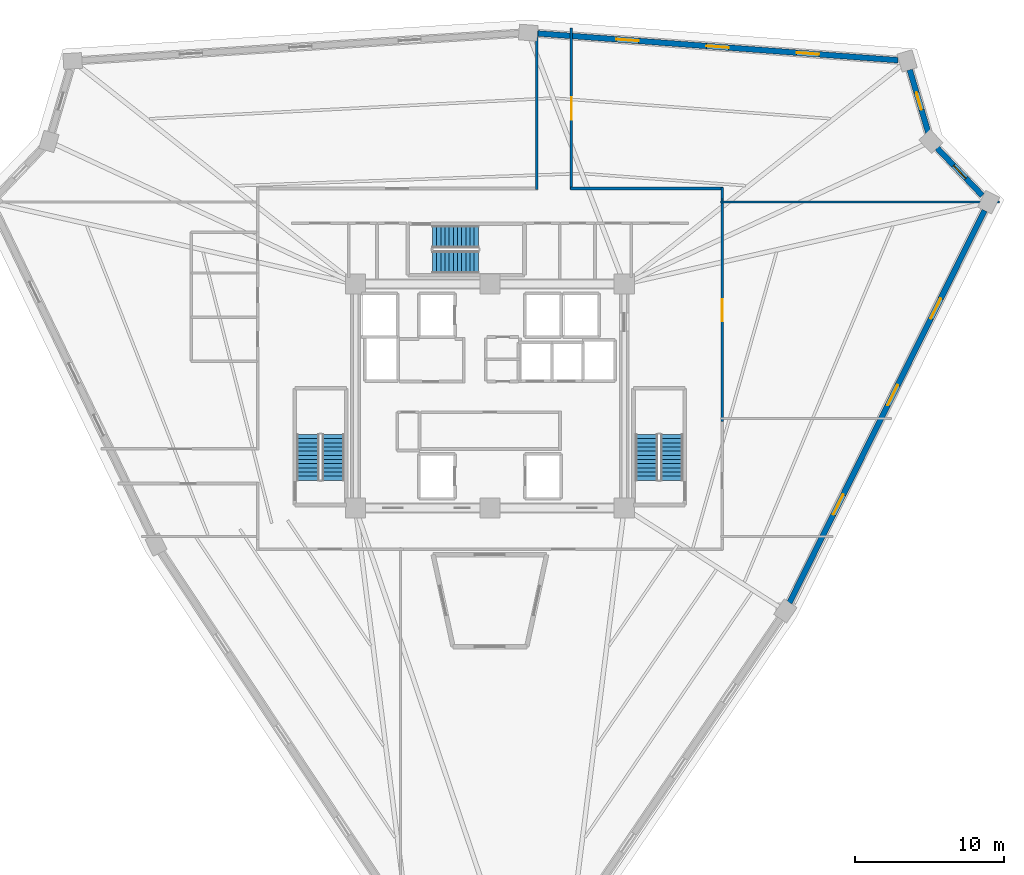
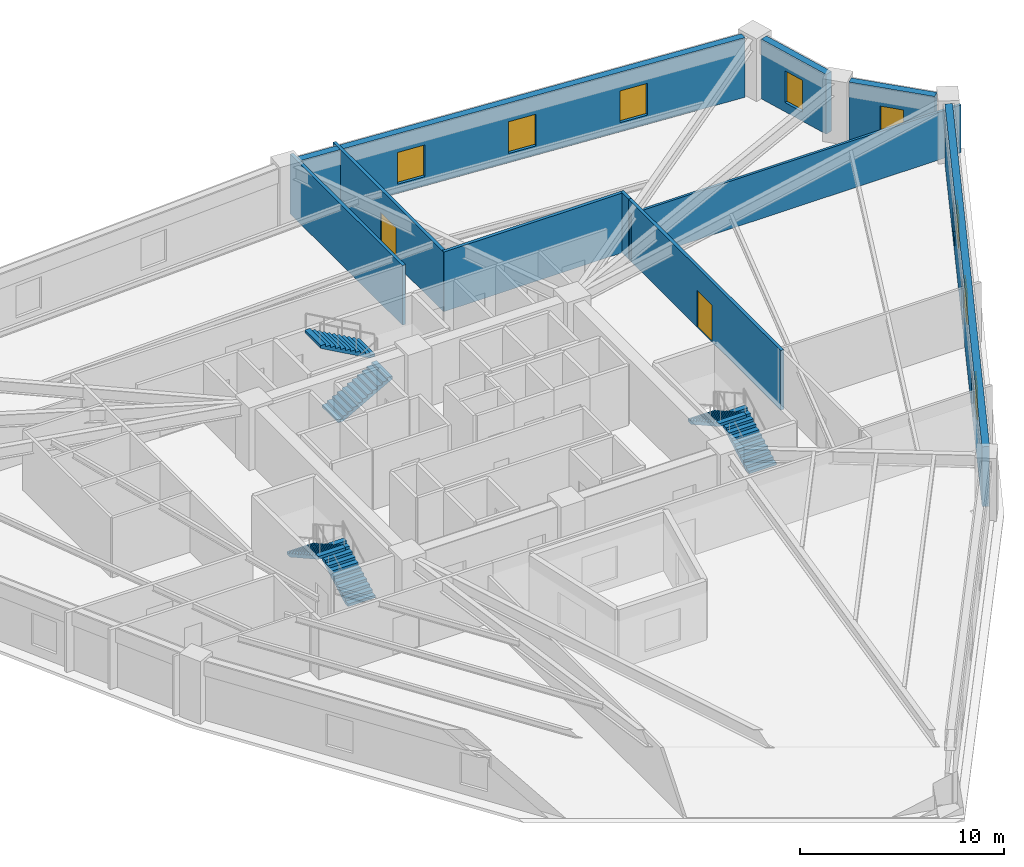
# One storey, part 7 of 10: 10 walls, 8 windows, 6 stair flights, 2 doors, 10 openings, 3 elements without a shape of their own.
"""IFC4 building model written with IfcOpenShell, lengths in metres."""

from ifc_helpers import new_model, si_unit, direction, frame, frame_2d, origin, place, context, subcontext, project, spatial, polyline, rectangle, outline, extrude, source, transform, mapped, material, layer, layer_set, type_object, element, fill, aggregate, save


model = new_model("IFC4")

# Units and contexts
model_context = context("Model", 3, precision=1e-05, world=origin(), true_north=direction((0.0, 1.0)))
body_context = subcontext(model_context, "Body", "Model", "MODEL_VIEW")
ifc_project = project(units=[si_unit("LENGTHUNIT", "METRE"), si_unit("AREAUNIT", "SQUARE_METRE"), si_unit("VOLUMEUNIT", "CUBIC_METRE"), si_unit("PLANEANGLEUNIT", "RADIAN"), si_unit("MASSUNIT", "GRAM", prefix="KILO")], contexts=[model_context])

# Site, building, storey
site_placement = place(None, origin())
site = spatial("IfcSite", under=ifc_project, at=site_placement, CompositionType="ELEMENT")
building_placement = place(site_placement, origin())
building = spatial("IfcBuilding", under=site, at=building_placement, Name="Liaohun Quay Tower", CompositionType="ELEMENT")
storey_placement = place(building_placement, frame((0.0, 0.0, 216.75)))
storey = spatial("IfcBuildingStorey", under=building, at=storey_placement, Name="L56", CompositionType="ELEMENT", Elevation=216.75)

# Wall, openings, windows
ifc_material_1 = material(Name="Precast concrete C50 insulated sandwich", Category="concrete")
ifc_layer_1 = layer(ifc_material_1, 0.3798828125, Name="Precast concrete C50 insulated sandwich", Category="concrete")
ifc_layer_set_1 = layer_set([ifc_layer_1], Name="Precast concrete C50 insulated sandwich")
wall_type_1 = type_object("IfcWallType", Name="WAL-EXT-Z34", PredefinedType="SOLIDWALL", material=ifc_layer_set_1)
wall_1_placement = place(storey_placement, frame((80.069091796875, 40.156005859375, 0.0), z_axis=(0.0, 0.0, 1.0), x_axis=(0.445352625388, 0.895355258576, 0.0)))
wall_1 = element("IfcWall", 1, at=wall_1_placement, inside=storey, type_object=wall_type_1, Name="L56 Brutalist Precast Pier Wall 03", PredefinedType="SOLIDWALL", context=body_context, shape_type="SweptSolid", body=[
    extrude(rectangle(XDim=29.349365234375, YDim=0.3798828125, at=frame_2d((14.6748046875, 0.0))), origin(), (0.0, 0.0, 1.0), 3.570068359375),
])
shared_shape_1 = source(origin(), body_context, "Body", "SweptSolid", [
    extrude(rectangle(XDim=1.5, YDim=1.89990234375, at=frame_2d((0.75, 0.949951171875))), frame((0.0, 0.199951171875, 0.0), z_axis=(0.0, -1.0, 0.0), x_axis=(1.0, 0.0, 0.0)), (0.0, 0.0, 1.0), 0.39990234375),
])
opening_1_placement = place(wall_1_placement, frame((6.5869140625, 0.0, 0.550048828125)))
opening_1 = element("IfcOpeningElement", 2, at=opening_1_placement, cuts=wall_1, Name="Opening W03", PredefinedType="OPENING", context=body_context, shape_type="MappedRepresentation", body=[
    mapped(shared_shape_1, transform((0.0, 0.0, 0.0), x_axis=(1.0, 0.0, 0.0), y_axis=(0.0, 1.0, 0.0), z_axis=(0.0, 0.0, 1.0), scale=1.0)),
])
opening_2_placement = place(wall_1_placement, frame((14.77490234375, 0.0, 0.550048828125)))
opening_2 = element("IfcOpeningElement", 3, at=opening_2_placement, cuts=wall_1, Name="Opening W03", PredefinedType="OPENING", context=body_context, shape_type="MappedRepresentation", body=[
    mapped(shared_shape_1, transform((0.0, 0.0, 0.0), x_axis=(1.0, 0.0, 0.0), y_axis=(0.0, 1.0, 0.0), z_axis=(0.0, 0.0, 1.0), scale=1.0)),
])
opening_3_placement = place(wall_1_placement, frame((21.261962890625, 0.0, 0.550048828125)))
opening_3 = element("IfcOpeningElement", 4, at=opening_3_placement, cuts=wall_1, Name="Opening W03", PredefinedType="OPENING", context=body_context, shape_type="MappedRepresentation", body=[
    mapped(shared_shape_1, transform((0.0, 0.0, 0.0), x_axis=(1.0, 0.0, 0.0), y_axis=(0.0, 1.0, 0.0), z_axis=(0.0, 0.0, 1.0), scale=1.0)),
])
ifc_material_2 = material(Name="Triple Low-E argon glazing in thermally broken aluminium", Category="aluminium")
window_type_1 = type_object("IfcWindowType", Name="WIN-PUN-Z3", PartitioningType="DOUBLE_PANEL_VERTICAL", PredefinedType="WINDOW", material=ifc_material_2)
shared_shape_2 = source(origin(), body_context, "Body", "SweptSolid", [
    extrude(rectangle(XDim=1.5, YDim=1.89990234375, at=frame_2d((0.75, 0.949951171875))), frame((0.0, 0.030029296875, 0.0), z_axis=(0.0, -1.0, 0.0), x_axis=(1.0, 0.0, 0.0)), (0.0, 0.0, 1.0), 0.06005859375),
])
window_1_placement = place(opening_1_placement, origin())
window_1 = element("IfcWindow", 5, at=window_1_placement, inside=storey, type_object=window_type_1, Name="L56 Recessed Cold-Climate Punched Window 03-1", OverallHeight=1.89990234375, OverallWidth=1.5, PartitioningType="DOUBLE_PANEL_VERTICAL", PredefinedType="WINDOW", context=body_context, shape_type="MappedRepresentation", body=[
    mapped(shared_shape_2, transform((0.0, 0.0, 0.0), x_axis=(1.0, 0.0, 0.0), y_axis=(0.0, 1.0, 0.0), z_axis=(0.0, 0.0, 1.0), scale=1.0)),
])
fill(opening_1, window_1)
window_2_placement = place(opening_2_placement, origin())
window_2 = element("IfcWindow", 6, at=window_2_placement, inside=storey, type_object=window_type_1, Name="L56 Recessed Cold-Climate Punched Window 03-2", OverallHeight=1.89990234375, OverallWidth=1.5, PartitioningType="DOUBLE_PANEL_VERTICAL", PredefinedType="WINDOW", context=body_context, shape_type="MappedRepresentation", body=[
    mapped(shared_shape_2, transform((0.0, 0.0, 0.0), x_axis=(1.0, 0.0, 0.0), y_axis=(0.0, 1.0, 0.0), z_axis=(0.0, 0.0, 1.0), scale=1.0)),
])
fill(opening_2, window_2)
window_3_placement = place(opening_3_placement, origin())
window_3 = element("IfcWindow", 7, at=window_3_placement, inside=storey, type_object=window_type_1, Name="L56 Recessed Cold-Climate Punched Window 03-3", OverallHeight=1.89990234375, OverallWidth=1.5, PartitioningType="DOUBLE_PANEL_VERTICAL", PredefinedType="WINDOW", context=body_context, shape_type="MappedRepresentation", body=[
    mapped(shared_shape_2, transform((0.0, 0.0, 0.0), x_axis=(1.0, 0.0, 0.0), y_axis=(0.0, 1.0, 0.0), z_axis=(0.0, 0.0, 1.0), scale=1.0)),
])
fill(opening_3, window_3)

# Wall, opening, window
wall_2_placement = place(storey_placement, frame((92.989990234375, 67.430908203125, 0.0), z_axis=(0.0, 0.0, 1.0), x_axis=(-0.689446721654, 0.724336398368, 0.0)))
wall_2 = element("IfcWall", 8, at=wall_2_placement, inside=storey, type_object=wall_type_1, Name="L56 Brutalist Precast Pier Wall 04", PredefinedType="SOLIDWALL", context=body_context, shape_type="SweptSolid", body=[
    extrude(rectangle(XDim=4.387451171875, YDim=0.3798828125, at=frame_2d((2.19384765625, 0.0))), origin(), (0.0, 0.0, 1.0), 3.570068359375),
])
shared_shape_3 = source(origin(), body_context, "Body", "SweptSolid", [
    extrude(rectangle(XDim=1.199951171875, YDim=1.89990234375, at=frame_2d((0.60009765625, 0.949951171875))), frame((0.0, 0.199951171875, 0.0), z_axis=(0.0, -1.0, 0.0), x_axis=(1.0, 0.0, 0.0)), (0.0, 0.0, 1.0), 0.39990234375),
])
opening_4_placement = place(wall_2_placement, frame((1.593994140625, 0.0, 0.550048828125)))
opening_4 = element("IfcOpeningElement", 9, at=opening_4_placement, cuts=wall_2, Name="Opening W05", PredefinedType="OPENING", context=body_context, shape_type="MappedRepresentation", body=[
    mapped(shared_shape_3, transform((0.0, 0.0, 0.0), x_axis=(1.0, 0.0, 0.0), y_axis=(0.0, 1.0, 0.0), z_axis=(0.0, 0.0, 1.0), scale=1.0)),
])
ifc_material_3 = material(Name="Triple Low-E corner notch glazing", Category="glass")
window_type_2 = type_object("IfcWindowType", Name="WIN-NOTCH", PartitioningType="SINGLE_PANEL", PredefinedType="WINDOW", material=ifc_material_3)
shared_shape_4 = source(origin(), body_context, "Body", "SweptSolid", [
    extrude(rectangle(XDim=1.199951171875, YDim=1.89990234375, at=frame_2d((0.60009765625, 0.949951171875))), frame((0.0, 0.030029296875, 0.0), z_axis=(0.0, -1.0, 0.0), x_axis=(1.0, 0.0, 0.0)), (0.0, 0.0, 1.0), 0.06005859375),
])
window_4_placement = place(opening_4_placement, origin())
window_4 = element("IfcWindow", 10, at=window_4_placement, inside=storey, type_object=window_type_2, Name="L56 Corner Notch Window W05-04", OverallHeight=1.89990234375, OverallWidth=1.199951171875, PartitioningType="SINGLE_PANEL", PredefinedType="WINDOW", context=body_context, shape_type="MappedRepresentation", body=[
    mapped(shared_shape_4, transform((0.0, 0.0, 0.0), x_axis=(1.0, 0.0, 0.0), y_axis=(0.0, 1.0, 0.0), z_axis=(0.0, 0.0, 1.0), scale=1.0)),
])
fill(opening_4, window_4)

wall_3_placement = place(storey_placement, frame((89.366943359375, 71.64501953125, 0.0), z_axis=(0.0, 0.0, 1.0), x_axis=(-0.282713462933, 0.959204408808, 0.0)))
wall_3 = element("IfcWall", 11, at=wall_3_placement, inside=storey, type_object=wall_type_1, Name="L56 Brutalist Precast Pier Wall 05", PredefinedType="SOLIDWALL", context=body_context, shape_type="SweptSolid", body=[
    extrude(rectangle(XDim=4.396484375, YDim=0.3798828125, at=frame_2d((2.1982421875, 0.0))), origin(), (0.0, 0.0, 1.0), 3.570068359375),
])
opening_5_placement = place(wall_3_placement, frame((1.597900390625, 0.0, 0.550048828125)))
opening_5 = element("IfcOpeningElement", 12, at=opening_5_placement, cuts=wall_3, Name="Opening W05", PredefinedType="OPENING", context=body_context, shape_type="MappedRepresentation", body=[
    mapped(shared_shape_3, transform((0.0, 0.0, 0.0), x_axis=(1.0, 0.0, 0.0), y_axis=(0.0, 1.0, 0.0), z_axis=(0.0, 0.0, 1.0), scale=1.0)),
])
window_5_placement = place(opening_5_placement, origin())
window_5 = element("IfcWindow", 13, at=window_5_placement, inside=storey, type_object=window_type_2, Name="L56 Corner Notch Window W05-05", OverallHeight=1.89990234375, OverallWidth=1.199951171875, PartitioningType="SINGLE_PANEL", PredefinedType="WINDOW", context=body_context, shape_type="MappedRepresentation", body=[
    mapped(shared_shape_4, transform((0.0, 0.0, 0.0), x_axis=(1.0, 0.0, 0.0), y_axis=(0.0, 1.0, 0.0), z_axis=(0.0, 0.0, 1.0), scale=1.0)),
])
fill(opening_5, window_5)

# Wall, openings, windows
wall_4_placement = place(storey_placement, frame((87.3369140625, 76.498046875, 0.0), z_axis=(0.0, 0.0, 1.0), x_axis=(-0.997247530885, 0.074144198316, 0.0)))
wall_4 = element("IfcWall", 14, at=wall_4_placement, inside=storey, type_object=wall_type_1, Name="L56 Brutalist Precast Pier Wall 06", PredefinedType="SOLIDWALL", context=body_context, shape_type="SweptSolid", body=[
    extrude(rectangle(XDim=24.2216796875, YDim=0.3798828125, at=frame_2d((12.11083984375, 0.0))), origin(), (0.0, 0.0, 1.0), 3.570068359375),
])
opening_6_placement = place(wall_4_placement, frame((5.304931640625, 0.0, 0.550048828125)))
opening_6 = element("IfcOpeningElement", 15, at=opening_6_placement, cuts=wall_4, Name="Opening W03", PredefinedType="OPENING", context=body_context, shape_type="MappedRepresentation", body=[
    mapped(shared_shape_1, transform((0.0, 0.0, 0.0), x_axis=(1.0, 0.0, 0.0), y_axis=(0.0, 1.0, 0.0), z_axis=(0.0, 0.0, 1.0), scale=1.0)),
])
opening_7_placement = place(wall_4_placement, frame((11.361083984375, 0.0, 0.550048828125)))
opening_7 = element("IfcOpeningElement", 16, at=opening_7_placement, cuts=wall_4, Name="Opening W03", PredefinedType="OPENING", context=body_context, shape_type="MappedRepresentation", body=[
    mapped(shared_shape_1, transform((0.0, 0.0, 0.0), x_axis=(1.0, 0.0, 0.0), y_axis=(0.0, 1.0, 0.0), z_axis=(0.0, 0.0, 1.0), scale=1.0)),
])
opening_8_placement = place(wall_4_placement, frame((17.416015625, 0.0, 0.550048828125)))
opening_8 = element("IfcOpeningElement", 17, at=opening_8_placement, cuts=wall_4, Name="Opening W03", PredefinedType="OPENING", context=body_context, shape_type="MappedRepresentation", body=[
    mapped(shared_shape_1, transform((0.0, 0.0, 0.0), x_axis=(1.0, 0.0, 0.0), y_axis=(0.0, 1.0, 0.0), z_axis=(0.0, 0.0, 1.0), scale=1.0)),
])
window_6_placement = place(opening_6_placement, origin())
window_6 = element("IfcWindow", 18, at=window_6_placement, inside=storey, type_object=window_type_1, Name="L56 Recessed Cold-Climate Punched Window 06-1", OverallHeight=1.89990234375, OverallWidth=1.5, PartitioningType="DOUBLE_PANEL_VERTICAL", PredefinedType="WINDOW", context=body_context, shape_type="MappedRepresentation", body=[
    mapped(shared_shape_2, transform((0.0, 0.0, 0.0), x_axis=(1.0, 0.0, 0.0), y_axis=(0.0, 1.0, 0.0), z_axis=(0.0, 0.0, 1.0), scale=1.0)),
])
fill(opening_6, window_6)
window_7_placement = place(opening_7_placement, origin())
window_7 = element("IfcWindow", 19, at=window_7_placement, inside=storey, type_object=window_type_1, Name="L56 Recessed Cold-Climate Punched Window 06-2", OverallHeight=1.89990234375, OverallWidth=1.5, PartitioningType="DOUBLE_PANEL_VERTICAL", PredefinedType="WINDOW", context=body_context, shape_type="MappedRepresentation", body=[
    mapped(shared_shape_2, transform((0.0, 0.0, 0.0), x_axis=(1.0, 0.0, 0.0), y_axis=(0.0, 1.0, 0.0), z_axis=(0.0, 0.0, 1.0), scale=1.0)),
])
fill(opening_7, window_7)
window_8_placement = place(opening_8_placement, origin())
window_8 = element("IfcWindow", 20, at=window_8_placement, inside=storey, type_object=window_type_1, Name="L56 Recessed Cold-Climate Punched Window 06-3", OverallHeight=1.89990234375, OverallWidth=1.5, PartitioningType="DOUBLE_PANEL_VERTICAL", PredefinedType="WINDOW", context=body_context, shape_type="MappedRepresentation", body=[
    mapped(shared_shape_2, transform((0.0, 0.0, 0.0), x_axis=(1.0, 0.0, 0.0), y_axis=(0.0, 1.0, 0.0), z_axis=(0.0, 0.0, 1.0), scale=1.0)),
])
fill(opening_8, window_8)

# Wall, opening, door
ifc_material_4 = material(Name="Autoclaved aerated concrete blockwork", Category="masonry")
ifc_layer_2 = layer(ifc_material_4, 0.179931640625, Name="Autoclaved aerated concrete blockwork", Category="masonry")
ifc_layer_set_2 = layer_set([ifc_layer_2], Name="Autoclaved aerated concrete blockwork")
wall_type_2 = type_object("IfcWallType", Name="WAL-PRT-COR", PredefinedType="PARTITIONING", material=ifc_layer_set_2)
wall_5_placement = place(storey_placement, frame((75.56005859375, 67.215087890625, 0.0), z_axis=(0.0, 0.0, 1.0), x_axis=(0.0, -1.0, 0.0)))
wall_5 = element("IfcWall", 21, at=wall_5_placement, inside=storey, type_object=wall_type_2, Name="L56 Interior Partition Wall 016", PredefinedType="PARTITIONING", context=body_context, shape_type="SweptSolid", body=[
    extrude(rectangle(XDim=14.93017578125, YDim=0.179931640625, at=frame_2d((7.465087890625, 0.0))), origin(), (0.0, 0.0, 1.0), 3.570068359375),
])
shared_shape_5 = source(origin(), body_context, "Body", "SweptSolid", [
    extrude(rectangle(XDim=1.5, YDim=2.199951171875, at=frame_2d((0.75, 1.10009765625))), frame((0.0, 0.099853515625, 0.0), z_axis=(0.0, -1.0, 0.0), x_axis=(1.0, 0.0, 0.0)), (0.0, 0.0, 1.0), 0.199951171875),
])
opening_9_placement = place(wall_5_placement, frame((6.715087890625, 0.0, 0.0)))
opening_9 = element("IfcOpeningElement", 22, at=opening_9_placement, cuts=wall_5, Name="Opening OD2", PredefinedType="OPENING", context=body_context, shape_type="MappedRepresentation", body=[
    mapped(shared_shape_5, transform((0.0, 0.0, 0.0), x_axis=(1.0, 0.0, 0.0), y_axis=(0.0, 1.0, 0.0), z_axis=(0.0, 0.0, 1.0), scale=1.0)),
])
ifc_material_5 = material(Name="Acoustic oak veneer double door")
door_type = type_object("IfcDoorType", Name="DOR-OFF-1500", OperationType="DOUBLE_DOOR_SINGLE_SWING", PredefinedType="DOOR", material=ifc_material_5)
shared_shape_6 = source(origin(), body_context, "Body", "SweptSolid", [
    extrude(rectangle(XDim=1.5, YDim=2.199951171875, at=frame_2d((0.75, 1.10009765625))), frame((0.0, 0.02490234375, 0.0), z_axis=(0.0, -1.0, 0.0), x_axis=(1.0, 0.0, 0.0)), (0.0, 0.0, 1.0), 0.050048828125),
])
door_1_placement = place(opening_9_placement, origin())
door_1 = element("IfcDoor", 23, at=door_1_placement, inside=storey, type_object=door_type, Name="L56 Staff Daycare Nursery 01 Door", OperationType="DOUBLE_DOOR_SINGLE_SWING", OverallHeight=2.199951171875, OverallWidth=1.5, PredefinedType="DOOR", context=body_context, shape_type="MappedRepresentation", body=[
    mapped(shared_shape_6, transform((0.0, 0.0, 0.0), x_axis=(1.0, 0.0, 0.0), y_axis=(0.0, 1.0, 0.0), z_axis=(0.0, 0.0, 1.0), scale=1.0)),
])
fill(opening_9, door_1)

wall_6_placement = place(storey_placement, frame((65.4599609375, 78.666015625, 0.0), z_axis=(0.0, 0.0, 1.0), x_axis=(0.0, -1.0, 0.0)))
wall_6 = element("IfcWall", 24, at=wall_6_placement, inside=storey, type_object=wall_type_2, Name="L56 Interior Partition Wall 017", PredefinedType="PARTITIONING", context=body_context, shape_type="SweptSolid", body=[
    extrude(rectangle(XDim=10.825927734375, YDim=0.179931640625, at=frame_2d((5.4130859375, 0.0))), origin(), (0.0, 0.0, 1.0), 3.570068359375),
])
opening_10_placement = place(wall_6_placement, frame((4.6630859375, 0.0, 0.0)))
opening_10 = element("IfcOpeningElement", 25, at=opening_10_placement, cuts=wall_6, Name="Opening OD2", PredefinedType="OPENING", context=body_context, shape_type="MappedRepresentation", body=[
    mapped(shared_shape_5, transform((0.0, 0.0, 0.0), x_axis=(1.0, 0.0, 0.0), y_axis=(0.0, 1.0, 0.0), z_axis=(0.0, 0.0, 1.0), scale=1.0)),
])
door_2_placement = place(opening_10_placement, origin())
door_2 = element("IfcDoor", 26, at=door_2_placement, inside=storey, type_object=door_type, Name="L56 Client Collaboration Lounge 02 Door", OperationType="DOUBLE_DOOR_SINGLE_SWING", OverallHeight=2.199951171875, OverallWidth=1.5, PredefinedType="DOOR", context=body_context, shape_type="MappedRepresentation", body=[
    mapped(shared_shape_6, transform((0.0, 0.0, 0.0), x_axis=(1.0, 0.0, 0.0), y_axis=(0.0, 1.0, 0.0), z_axis=(0.0, 0.0, 1.0), scale=1.0)),
])
fill(opening_10, door_2)

# Walls
wall_7_placement = place(storey_placement, frame((65.389892578125, 67.909912109375, 0.0), z_axis=(0.0, 0.0, 1.0), x_axis=(1.0, 0.0, 0.0)))
element("IfcWall", 27, at=wall_7_placement, inside=storey, type_object=wall_type_2, Name="L56 Interior Partition Wall 040", PredefinedType="PARTITIONING", context=body_context, shape_type="SweptSolid", body=[
    extrude(rectangle(XDim=10.239990234375, YDim=0.179931640625, at=frame_2d((5.1201171875, 0.0))), origin(), (0.0, 0.0, 1.0), 3.570068359375),
])
wall_8_placement = place(storey_placement, frame((75.56005859375, 67.97998046875, 0.0), z_axis=(0.0, 0.0, 1.0), x_axis=(0.0, -1.0, 0.0)))
element("IfcWall", 28, at=wall_8_placement, inside=storey, type_object=wall_type_2, Name="L56 Interior Partition Wall 041", PredefinedType="PARTITIONING", context=body_context, shape_type="SweptSolid", body=[
    extrude(rectangle(XDim=0.764892578125, YDim=0.179931640625, at=frame_2d((0.38232421875, 0.0))), origin(), (0.0, 0.0, 1.0), 3.570068359375),
])
wall_9_placement = place(storey_placement, frame((63.139892578125, 67.840087890625, 0.0), z_axis=(0.0, 0.0, 1.0), x_axis=(0.0, 1.0, 0.0)))
element("IfcWall", 29, at=wall_9_placement, inside=storey, type_object=wall_type_2, Name="L56 Interior Partition Wall 042", PredefinedType="PARTITIONING", context=body_context, shape_type="SweptSolid", body=[
    extrude(rectangle(XDim=10.9990234375, YDim=0.179931640625, at=frame_2d((5.49951171875, 0.0))), origin(), (0.0, 0.0, 1.0), 3.570068359375),
])
ifc_material_6 = material(Name="Gypsum board on twin steel studs", Category="steel")
ifc_layer_3 = layer(ifc_material_6, 0.139892578125, Name="Gypsum board on twin steel studs", Category="steel")
ifc_layer_set_3 = layer_set([ifc_layer_3], Name="Gypsum board on twin steel studs")
wall_type_3 = type_object("IfcWallType", Name="WAL-PRT-OFF", PredefinedType="PARTITIONING", material=ifc_layer_set_3)
wall_10_placement = place(storey_placement, frame((75.4599609375, 67.0, 0.0), z_axis=(0.0, 0.0, 1.0), x_axis=(1.0, 0.0, 0.0)))
element("IfcWall", 30, at=wall_10_placement, inside=storey, type_object=wall_type_3, Name="L56 Interior Partition Wall 053", PredefinedType="PARTITIONING", context=body_context, shape_type="SweptSolid", body=[
    extrude(rectangle(XDim=18.6650390625, YDim=0.139892578125, at=frame_2d((9.33251953125, 0.0))), origin(), (0.0, 0.0, 1.0), 2.85498046875),
])

# Stair, stair flights
ifc_material_7 = material(Name="Concrete C45", Category="concrete")
stair_type = type_object("IfcStairType", Name="STR-CORE-OFF", PredefinedType="HALF_TURN_STAIR", material=ifc_material_7)
stair_1_placement = place(storey_placement, origin())
stair_1 = element("IfcStair", 31, at=stair_1_placement, inside=storey, type_object=stair_type, Name="L56 Smokeproof Core Exit Stair ST-1", PredefinedType="HALF_TURN_STAIR")
stair_flight_type = type_object("IfcStairFlightType", Name="FLT-CORE-155", PredefinedType="STRAIGHT", material=ifc_material_7)
stair_flight_1_placement = place(storey_placement, frame((49.5048828125, 48.35009765625, 0.0), z_axis=(0.0, 0.0, 1.0), x_axis=(0.0, 1.0, 0.0)))
stair_flight_1 = element("IfcStairFlight", 32, at=stair_flight_1_placement, type_object=stair_flight_type, Name="ST-1 flight 1", NumberOfRisers=12, NumberOfTreads=11, PredefinedType="STRAIGHT", RiserHeight=0.15625, TreadLength=0.28, context=body_context, shape_type="SweptSolid", body=[
    extrude(outline(polyline([(0.0, 0.0), (0.0, 0.15625), (0.280029296875, 0.15625), (0.280029296875, 0.3125), (0.56005859375, 0.3125), (0.56005859375, 0.46875), (0.840087890625, 0.46875), (0.840087890625, 0.625), (1.1201171875, 0.625), (1.1201171875, 0.78125), (1.39990234375, 0.78125), (1.39990234375, 0.9375), (1.679931640625, 0.9375), (1.679931640625, 1.09375), (1.9599609375, 1.09375), (1.9599609375, 1.25), (2.239990234375, 1.25), (2.239990234375, 1.40625), (2.52001953125, 1.40625), (2.52001953125, 1.5625), (2.800048828125, 1.5625), (2.800048828125, 1.71875), (3.080078125, 1.71875), (3.080078125, 1.875), (3.080078125, 1.547119140625), (0.3076171875, 0.0), (0.0, 0.0)])), frame((0.0, 0.77490234375, 0.0), z_axis=(0.0, -1.0, 0.0), x_axis=(1.0, 0.0, 0.0)), (0.0, 0.0, 1.0), 1.550048828125),
])
stair_flight_2_placement = place(storey_placement, frame((47.81494140625, 51.429931640625, 1.875), z_axis=(0.0, 0.0, 1.0), x_axis=(0.0, -1.0, 0.0)))
stair_flight_2 = element("IfcStairFlight", 33, at=stair_flight_2_placement, type_object=stair_flight_type, Name="ST-1 flight 2", NumberOfRisers=12, NumberOfTreads=11, PredefinedType="STRAIGHT", RiserHeight=0.15625, TreadLength=0.28, context=body_context, shape_type="SweptSolid", body=[
    extrude(outline(polyline([(0.0, 0.0), (0.0, 0.15625), (0.280029296875, 0.15625), (0.280029296875, 0.3125), (0.56005859375, 0.3125), (0.56005859375, 0.46875), (0.840087890625, 0.46875), (0.840087890625, 0.625), (1.1201171875, 0.625), (1.1201171875, 0.78125), (1.39990234375, 0.78125), (1.39990234375, 0.9375), (1.679931640625, 0.9375), (1.679931640625, 1.09375), (1.9599609375, 1.09375), (1.9599609375, 1.25), (2.239990234375, 1.25), (2.239990234375, 1.40625), (2.52001953125, 1.40625), (2.52001953125, 1.5625), (2.800048828125, 1.5625), (2.800048828125, 1.71875), (3.080078125, 1.71875), (3.080078125, 1.875), (3.080078125, 1.547119140625), (0.3076171875, 0.0), (0.0, 0.0)])), frame((0.0, 0.77490234375, 0.0), z_axis=(0.0, -1.0, 0.0), x_axis=(1.0, 0.0, 0.0)), (0.0, 0.0, 1.0), 1.550048828125),
])
aggregate(stair_1, [stair_flight_1, stair_flight_2])

stair_2_placement = place(storey_placement, origin())
stair_2 = element("IfcStair", 34, at=stair_2_placement, inside=storey, type_object=stair_type, Name="L56 Smokeproof Core Exit Stair ST-2", PredefinedType="HALF_TURN_STAIR")
stair_flight_3_placement = place(storey_placement, frame((72.18505859375, 48.35009765625, 0.0), z_axis=(0.0, 0.0, 1.0), x_axis=(0.0, 1.0, 0.0)))
stair_flight_3 = element("IfcStairFlight", 35, at=stair_flight_3_placement, type_object=stair_flight_type, Name="ST-2 flight 1", NumberOfRisers=12, NumberOfTreads=11, PredefinedType="STRAIGHT", RiserHeight=0.15625, TreadLength=0.28, context=body_context, shape_type="SweptSolid", body=[
    extrude(outline(polyline([(0.0, 0.0), (0.0, 0.15625), (0.280029296875, 0.15625), (0.280029296875, 0.3125), (0.56005859375, 0.3125), (0.56005859375, 0.46875), (0.840087890625, 0.46875), (0.840087890625, 0.625), (1.1201171875, 0.625), (1.1201171875, 0.78125), (1.39990234375, 0.78125), (1.39990234375, 0.9375), (1.679931640625, 0.9375), (1.679931640625, 1.09375), (1.9599609375, 1.09375), (1.9599609375, 1.25), (2.239990234375, 1.25), (2.239990234375, 1.40625), (2.52001953125, 1.40625), (2.52001953125, 1.5625), (2.800048828125, 1.5625), (2.800048828125, 1.71875), (3.080078125, 1.71875), (3.080078125, 1.875), (3.080078125, 1.547119140625), (0.3076171875, 0.0), (0.0, 0.0)])), frame((0.0, 0.77490234375, 0.0), z_axis=(0.0, -1.0, 0.0), x_axis=(1.0, 0.0, 0.0)), (0.0, 0.0, 1.0), 1.550048828125),
])
stair_flight_4_placement = place(storey_placement, frame((70.4951171875, 51.429931640625, 1.875), z_axis=(0.0, 0.0, 1.0), x_axis=(0.0, -1.0, 0.0)))
stair_flight_4 = element("IfcStairFlight", 36, at=stair_flight_4_placement, type_object=stair_flight_type, Name="ST-2 flight 2", NumberOfRisers=12, NumberOfTreads=11, PredefinedType="STRAIGHT", RiserHeight=0.15625, TreadLength=0.28, context=body_context, shape_type="SweptSolid", body=[
    extrude(outline(polyline([(0.0, 0.0), (0.0, 0.15625), (0.280029296875, 0.15625), (0.280029296875, 0.3125), (0.56005859375, 0.3125), (0.56005859375, 0.46875), (0.840087890625, 0.46875), (0.840087890625, 0.625), (1.1201171875, 0.625), (1.1201171875, 0.78125), (1.39990234375, 0.78125), (1.39990234375, 0.9375), (1.679931640625, 0.9375), (1.679931640625, 1.09375), (1.9599609375, 1.09375), (1.9599609375, 1.25), (2.239990234375, 1.25), (2.239990234375, 1.40625), (2.52001953125, 1.40625), (2.52001953125, 1.5625), (2.800048828125, 1.5625), (2.800048828125, 1.71875), (3.080078125, 1.71875), (3.080078125, 1.875), (3.080078125, 1.547119140625), (0.3076171875, 0.0), (0.0, 0.0)])), frame((0.0, 0.77490234375, 0.0), z_axis=(0.0, -1.0, 0.0), x_axis=(1.0, 0.0, 0.0)), (0.0, 0.0, 1.0), 1.550048828125),
])
aggregate(stair_2, [stair_flight_3, stair_flight_4])

stair_3_placement = place(storey_placement, origin())
stair_3 = element("IfcStair", 37, at=stair_3_placement, inside=storey, type_object=stair_type, Name="L56 Smokeproof Core Exit Stair ST-3", PredefinedType="HALF_TURN_STAIR")
stair_flight_5_placement = place(storey_placement, frame((56.14990234375, 62.97509765625, 0.0), z_axis=(0.0, 0.0, 1.0), x_axis=(1.0, 0.0, 0.0)))
stair_flight_5 = element("IfcStairFlight", 38, at=stair_flight_5_placement, type_object=stair_flight_type, Name="ST-3 flight 1", NumberOfRisers=12, NumberOfTreads=11, PredefinedType="STRAIGHT", RiserHeight=0.15625, TreadLength=0.28, context=body_context, shape_type="SweptSolid", body=[
    extrude(outline(polyline([(0.0, 0.0), (0.0, 0.15625), (0.280029296875, 0.15625), (0.280029296875, 0.3125), (0.56005859375, 0.3125), (0.56005859375, 0.46875), (0.840087890625, 0.46875), (0.840087890625, 0.625), (1.1201171875, 0.625), (1.1201171875, 0.78125), (1.39990234375, 0.78125), (1.39990234375, 0.9375), (1.679931640625, 0.9375), (1.679931640625, 1.09375), (1.9599609375, 1.09375), (1.9599609375, 1.25), (2.239990234375, 1.25), (2.239990234375, 1.40625), (2.52001953125, 1.40625), (2.52001953125, 1.5625), (2.800048828125, 1.5625), (2.800048828125, 1.71875), (3.080078125, 1.71875), (3.080078125, 1.875), (3.080078125, 1.547119140625), (0.3076171875, 0.0), (0.0, 0.0)])), frame((0.0, 0.77490234375, 0.0), z_axis=(0.0, -1.0, 0.0), x_axis=(1.0, 0.0, 0.0)), (0.0, 0.0, 1.0), 1.550048828125),
])
stair_flight_6_placement = place(storey_placement, frame((59.22998046875, 64.6650390625, 1.875), z_axis=(0.0, 0.0, 1.0), x_axis=(-1.0, 0.0, 0.0)))
stair_flight_6 = element("IfcStairFlight", 39, at=stair_flight_6_placement, type_object=stair_flight_type, Name="ST-3 flight 2", NumberOfRisers=12, NumberOfTreads=11, PredefinedType="STRAIGHT", RiserHeight=0.15625, TreadLength=0.28, context=body_context, shape_type="SweptSolid", body=[
    extrude(outline(polyline([(0.0, 0.0), (0.0, 0.15625), (0.280029296875, 0.15625), (0.280029296875, 0.3125), (0.56005859375, 0.3125), (0.56005859375, 0.46875), (0.840087890625, 0.46875), (0.840087890625, 0.625), (1.1201171875, 0.625), (1.1201171875, 0.78125), (1.39990234375, 0.78125), (1.39990234375, 0.9375), (1.679931640625, 0.9375), (1.679931640625, 1.09375), (1.9599609375, 1.09375), (1.9599609375, 1.25), (2.239990234375, 1.25), (2.239990234375, 1.40625), (2.52001953125, 1.40625), (2.52001953125, 1.5625), (2.800048828125, 1.5625), (2.800048828125, 1.71875), (3.080078125, 1.71875), (3.080078125, 1.875), (3.080078125, 1.547119140625), (0.3076171875, 0.0), (0.0, 0.0)])), frame((0.0, 0.77490234375, 0.0), z_axis=(0.0, -1.0, 0.0), x_axis=(1.0, 0.0, 0.0)), (0.0, 0.0, 1.0), 1.550048828125),
])
aggregate(stair_3, [stair_flight_5, stair_flight_6])

save(model, "model.ifc")
